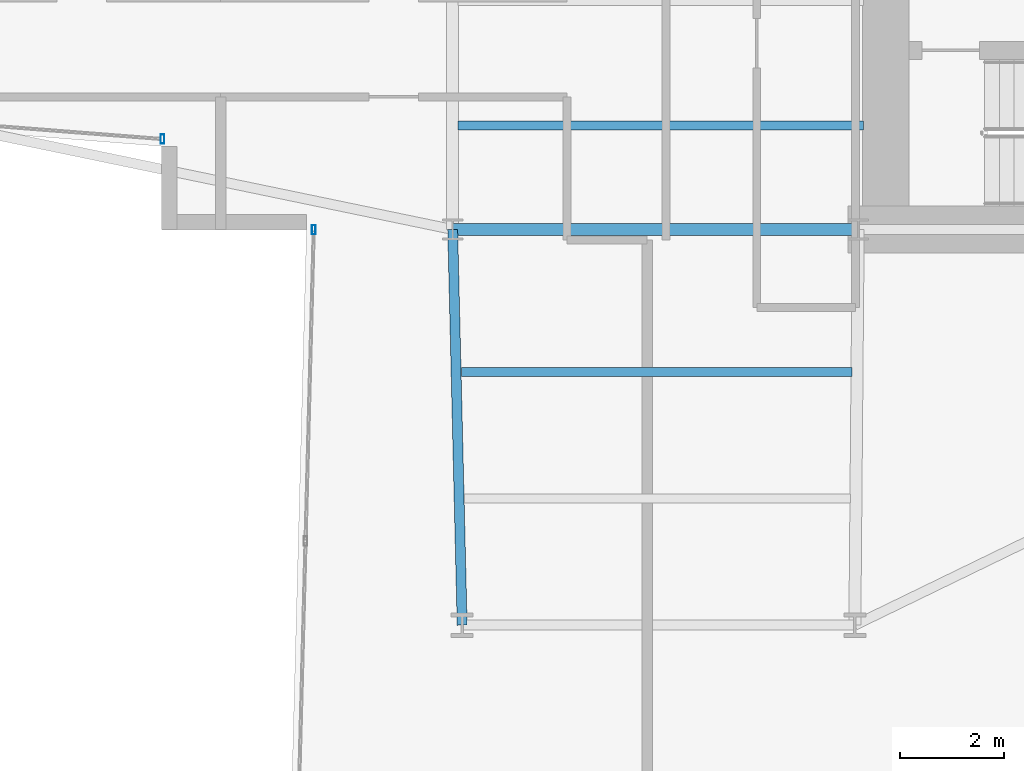
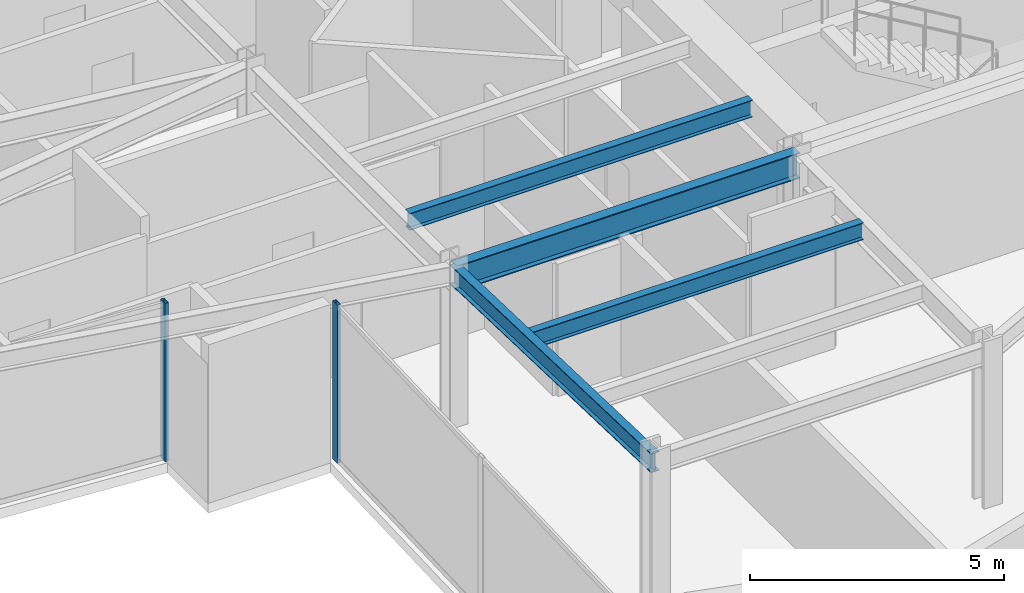
# One storey, part 7 of 30: 4 beams, 2 members, 2 elements without a shape of their own.
"""IFC4 building model written with IfcOpenShell, lengths in metres."""

from ifc_helpers import new_model, si_unit, direction, frame, origin, origin_2d, place, context, subcontext, project, spatial, hollow_rectangle, i_section, extrude, material, layer, layer_set, material_profile, profile_set, type_object, element, aggregate, save


model = new_model("IFC4")

# Units and contexts
model_context = context("Model", 3, precision=1e-05, world=origin(), true_north=direction((0.0, 1.0)))
body_context = subcontext(model_context, "Body", "Model", "MODEL_VIEW")
ifc_project = project(units=[si_unit("LENGTHUNIT", "METRE"), si_unit("AREAUNIT", "SQUARE_METRE"), si_unit("VOLUMEUNIT", "CUBIC_METRE"), si_unit("PLANEANGLEUNIT", "RADIAN"), si_unit("MASSUNIT", "GRAM", prefix="KILO")], contexts=[model_context])

# Site, building, storey
site_placement = place(None, origin())
site = spatial("IfcSite", under=ifc_project, at=site_placement, CompositionType="ELEMENT")
building_placement = place(site_placement, origin())
building = spatial("IfcBuilding", under=site, at=building_placement, Name="Veymaron Broadcast Tower", CompositionType="ELEMENT")
storey_placement = place(building_placement, frame((0.0, 0.0, 66.14990234375)))
storey = spatial("IfcBuildingStorey", under=building, at=storey_placement, Name="L14", CompositionType="ELEMENT", Elevation=66.14990234375)

# Beams
ifc_material_1 = material(Name="Structural steel ASTM A992 Gr 50", Category="steel")
ifc_material_profile_1 = material_profile(ifc_material_1, i_section(OverallWidth=0.22998046875, OverallDepth=0.616943359375, WebThickness=0.01318359375, FlangeThickness=0.022216796875, at=origin_2d()), Name="W610X140")
ifc_profile_set_1 = profile_set([ifc_material_profile_1], Name="Structural steel ASTM A992 Gr 50")
beam_type_1 = type_object("IfcBeamType", Name="BM-FG1", PredefinedType="BEAM", material=ifc_profile_set_1)
beam_1_placement = place(storey_placement, frame((31.199951171875, 16.0, 3.501708984375), z_axis=(1.0, 0.0, 0.0), x_axis=(0.0, 1.0, 0.0)))
element("IfcBeam", 1, at=beam_1_placement, inside=storey, type_object=beam_type_1, Name="L14 primary structural floor girder", PredefinedType="BEAM", context=body_context, shape_type="SweptSolid", body=[
    extrude(i_section(OverallWidth=0.22998046875, OverallDepth=0.616943359375, WebThickness=0.01318359375, FlangeThickness=0.022216796875, at=origin_2d()), origin(), (0.0, 0.0, 1.0), 7.800048828125),
])
ifc_material_profile_2 = material_profile(ifc_material_1, i_section(OverallWidth=0.177978515625, OverallDepth=0.406982421875, WebThickness=0.0078125, FlangeThickness=0.0126953125, at=origin_2d()), Name="W410X60")
ifc_profile_set_2 = profile_set([ifc_material_profile_2], Name="Structural steel ASTM A992 Gr 50")
beam_type_2 = type_object("IfcBeamType", Name="BM-JS1", PredefinedType="JOIST", material=ifc_profile_set_2)
beam_2_placement = place(storey_placement, frame((31.365478515625, 13.260498046875, 3.606689453125), z_axis=(1.0, 0.0, 0.0), x_axis=(0.0, 1.0, 0.0)))
element("IfcBeam", 2, at=beam_2_placement, inside=storey, type_object=beam_type_2, Name="L14 Arm-C secondary joist 1", PredefinedType="JOIST", context=body_context, shape_type="SweptSolid", body=[
    extrude(i_section(OverallWidth=0.177978515625, OverallDepth=0.406982421875, WebThickness=0.0078125, FlangeThickness=0.0126953125, at=origin_2d()), origin(), (0.0, 0.0, 1.0), 7.51123046875),
])
beam_3_placement = place(storey_placement, frame((31.300048828125, 18.0, 3.606689453125), z_axis=(1.0, 0.0, 0.0), x_axis=(0.0, 1.0, 0.0)))
element("IfcBeam", 3, at=beam_3_placement, inside=storey, type_object=beam_type_2, Name="L14 Hub secondary joist 1", PredefinedType="JOIST", context=body_context, shape_type="SweptSolid", body=[
    extrude(i_section(OverallWidth=0.177978515625, OverallDepth=0.406982421875, WebThickness=0.0078125, FlangeThickness=0.0126953125, at=origin_2d()), origin(), (0.0, 0.0, 1.0), 7.800048828125),
])
ifc_material_profile_3 = material_profile(ifc_material_1, i_section(OverallWidth=0.19091796875, OverallDepth=0.4599609375, WebThickness=0.010009765625, FlangeThickness=0.01611328125, at=origin_2d()), Name="W460X82")
ifc_profile_set_3 = profile_set([ifc_material_profile_3], Name="Structural steel ASTM A992 Gr 50")
beam_type_3 = type_object("IfcBeamType", Name="BM-SP1", PredefinedType="SPANDREL", material=ifc_profile_set_3)
beam_4_placement = place(storey_placement, frame((31.199951171875, 16.0, 3.580078125), z_axis=(0.023925650461, -0.999713740653, 0.0), x_axis=(0.999713740653, 0.023925650461, 0.0)))
element("IfcBeam", 4, at=beam_4_placement, inside=storey, type_object=beam_type_3, Name="L14 primary structural floor girder", PredefinedType="SPANDREL", context=body_context, shape_type="SweptSolid", body=[
    extrude(i_section(OverallWidth=0.19091796875, OverallDepth=0.4599609375, WebThickness=0.010009765625, FlangeThickness=0.01611328125, at=origin_2d()), origin(), (0.0, 0.0, 1.0), 7.6123046875),
])

# Curtain wall, member
ifc_material_2 = material(Name="Anodised aluminium AA 6063-T6 and laminated low-E dark glass", Category="aluminium")
ifc_layer = layer(ifc_material_2, 0.179931640625)
ifc_layer_set = layer_set([ifc_layer], Name="Anodised aluminium AA 6063-T6 and laminated low-E dark glass")
curtain_wall_type = type_object("IfcCurtainWallType", Name="CW-SYS-02", PredefinedType="NOTDEFINED", material=ifc_layer_set)
curtain_wall_1_placement = place(storey_placement, origin())
curtain_wall_1 = element("IfcCurtainWall", 5, at=curtain_wall_1_placement, inside=storey, type_object=curtain_wall_type, Name="L14 dark-glass curtain wall CW-L14-E14-1", PredefinedType="NOTDEFINED")
ifc_material_3 = material(Name="Anodised aluminium AA 6063-T6", Category="aluminium")
ifc_material_profile_4 = material_profile(ifc_material_3, hollow_rectangle(XDim=0.074951171875, YDim=0.179931640625, WallThickness=0.0048828125, at=origin_2d()), Name="AL180X75X5")
ifc_profile_set_4 = profile_set([ifc_material_profile_4], Name="Anodised aluminium AA 6063-T6")
member_type = type_object("IfcMemberType", Name="CW-MUL-02", PredefinedType="MULLION", material=ifc_profile_set_4)
member_1_placement = place(storey_placement, frame((25.618896484375, 17.7392578125, 0.0), z_axis=(0.0, 0.0, 1.0), x_axis=(1.0, 0.0, 0.0)))
member_1 = element("IfcMember", 6, at=member_1_placement, type_object=member_type, Name="CW-L14-E14-1 mullion 3", PredefinedType="MULLION", context=body_context, shape_type="SweptSolid", body=[
    extrude(hollow_rectangle(XDim=0.074951171875, YDim=0.179931640625, WallThickness=0.0048828125, at=origin_2d()), origin(), (0.0, 0.0, 1.0), 3.81005859375),
])
aggregate(curtain_wall_1, [member_1])

curtain_wall_2_placement = place(storey_placement, origin())
curtain_wall_2 = element("IfcCurtainWall", 7, at=curtain_wall_2_placement, inside=storey, type_object=curtain_wall_type, Name="L14 dark-glass curtain wall CW-L14-E17-1", PredefinedType="NOTDEFINED")
member_2_placement = place(storey_placement, frame((28.527099609375, 15.996337890625, 0.0), z_axis=(0.0, 0.0, 1.0), x_axis=(1.0, 0.0, 0.0)))
member_2 = element("IfcMember", 8, at=member_2_placement, type_object=member_type, Name="CW-L14-E17-1 mullion 0", PredefinedType="MULLION", context=body_context, shape_type="SweptSolid", body=[
    extrude(hollow_rectangle(XDim=0.074951171875, YDim=0.179931640625, WallThickness=0.0048828125, at=origin_2d()), origin(), (0.0, 0.0, 1.0), 3.81005859375),
])
aggregate(curtain_wall_2, [member_2])

save(model, "model.ifc")
